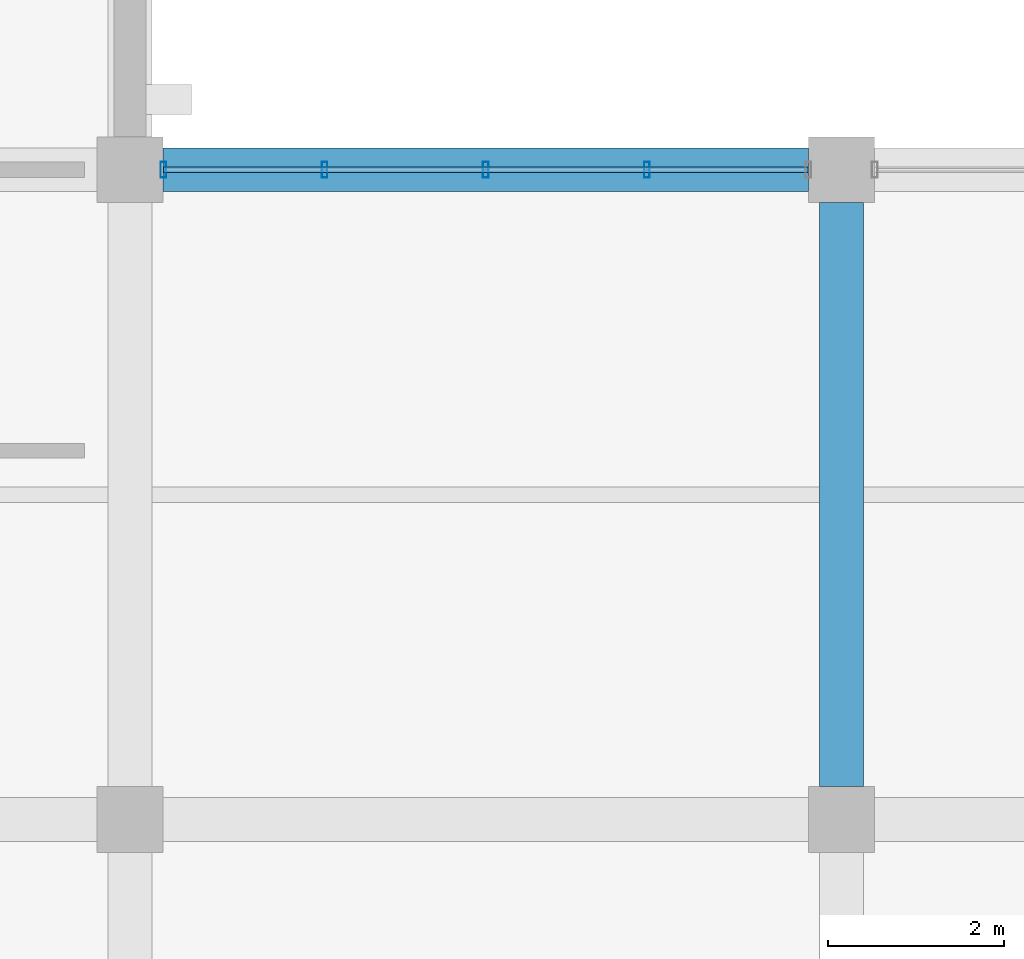
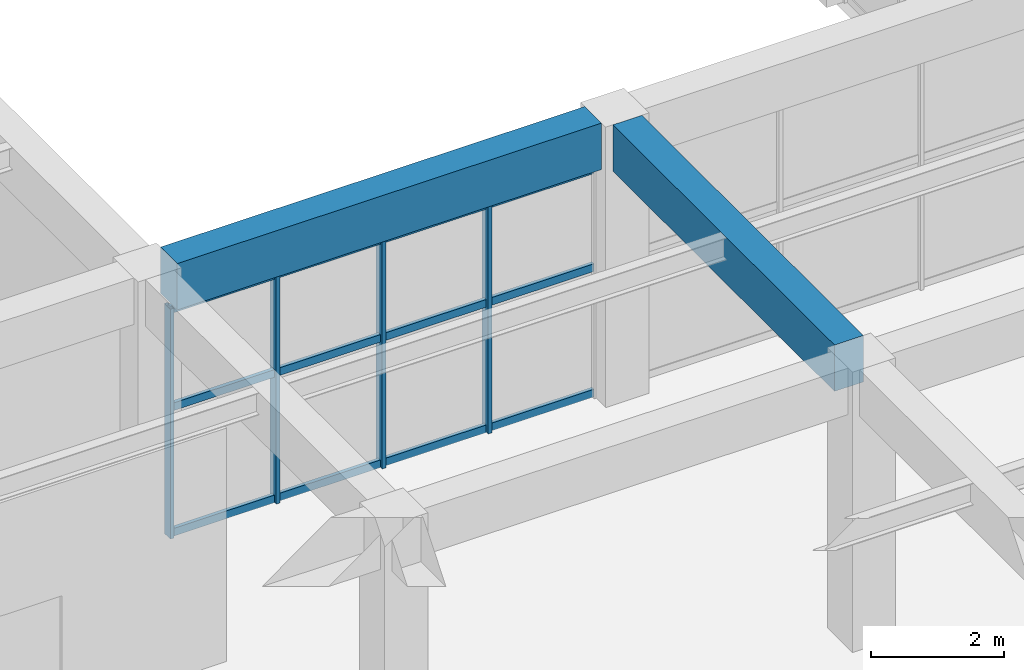
# One storey, part 12 of 140: 7 members, 2 beams, 1 element without a shape of its own.
"""IFC4 building model written with IfcOpenShell, lengths in metres."""

from ifc_helpers import new_model, si_unit, direction, frame, origin, origin_2d, place, context, subcontext, project, spatial, rectangle, hollow_rectangle, extrude, material, material_profile, profile_set, type_object, element, aggregate, save


model = new_model("IFC4")

# Units and contexts
model_context = context("Model", 3, precision=1e-05, world=origin(), true_north=direction((0.0, 1.0)))
body_context = subcontext(model_context, "Body", "Model", "MODEL_VIEW")
ifc_project = project(units=[si_unit("LENGTHUNIT", "METRE"), si_unit("AREAUNIT", "SQUARE_METRE"), si_unit("VOLUMEUNIT", "CUBIC_METRE"), si_unit("PLANEANGLEUNIT", "RADIAN"), si_unit("MASSUNIT", "GRAM", prefix="KILO")], contexts=[model_context])

# Site, building, storey
site_placement = place(None, origin())
site = spatial("IfcSite", under=ifc_project, at=site_placement, CompositionType="ELEMENT")
building_placement = place(site_placement, origin())
building = spatial("IfcBuilding", under=site, at=building_placement, Name="Cimatlan Art Gallery", CompositionType="ELEMENT")
storey_placement = place(building_placement, origin())
storey = spatial("IfcBuildingStorey", under=building, at=storey_placement, Name="L00", CompositionType="ELEMENT", Elevation=0.0)

# Beams
ifc_material_1 = material(Name="Concrete C40/50", Category="concrete")
ifc_material_profile_1 = material_profile(ifc_material_1, rectangle(XDim=0.5, YDim=0.85009765625, at=origin_2d()), Name="RC500X850")
ifc_profile_set_1 = profile_set([ifc_material_profile_1], Name="Concrete C40/50")
beam_type = type_object("IfcBeamType", Name="BM-RC-500X850", PredefinedType="BEAM", material=ifc_profile_set_1)
beam_1_placement = place(storey_placement, frame((26.300048828125, 31.675048828125, 4.7099609375), z_axis=(0.0, 1.0, 0.0), x_axis=(-1.0, 0.0, 0.0)))
element("IfcBeam", 1, at=beam_1_placement, inside=storey, type_object=beam_type, Name="BM-Y-L00-03-04", PredefinedType="BEAM", context=body_context, shape_type="SweptSolid", body=[
    extrude(rectangle(XDim=0.5, YDim=0.85009765625, at=origin_2d()), origin(), (0.0, 0.0, 1.0), 6.64990234375),
])
beam_2_placement = place(storey_placement, frame((18.574951171875, 38.699951171875, 4.7099609375), z_axis=(1.0, 0.0, 0.0), x_axis=(0.0, 1.0, 0.0)))
element("IfcBeam", 2, at=beam_2_placement, inside=storey, type_object=beam_type, Name="BM-X-L00-02-05", PredefinedType="BEAM", context=body_context, shape_type="SweptSolid", body=[
    extrude(rectangle(XDim=0.5, YDim=0.85009765625, at=origin_2d()), origin(), (0.0, 0.0, 1.0), 7.35009765625),
])

# Curtain wall, members
ifc_material_2 = material(Name="Anodised bronze unitised curtain wall")
curtain_wall_type = type_object("IfcCurtainWallType", Name="CW-V-07342X04210-B4", PredefinedType="NOTDEFINED", material=ifc_material_2)
curtain_wall_placement = place(storey_placement, origin())
curtain_wall = element("IfcCurtainWall", 3, at=curtain_wall_placement, inside=storey, type_object=curtain_wall_type, Name="CW-L00-02-04-N", PredefinedType="NOTDEFINED")
ifc_material_3 = material(Name="Anodised bronze aluminium 6063-T6", Category="aluminium")
ifc_material_profile_2 = material_profile(ifc_material_3, hollow_rectangle(XDim=0.06494140625, YDim=0.179931640625, WallThickness=0.00390625, at=origin_2d()), Name="ALU65X180X4")
ifc_profile_set_2 = profile_set([ifc_material_profile_2], Name="Anodised bronze aluminium 6063-T6")
member_type_1 = type_object("IfcMemberType", Name="CW-MUL-180", PredefinedType="MULLION", material=ifc_profile_set_2)
member_1_placement = place(storey_placement, frame((18.5791015625, 38.699951171875, 0.0), z_axis=(0.0, 0.0, 1.0), x_axis=(1.0, 0.0, 0.0)))
member_1 = element("IfcMember", 4, at=member_1_placement, type_object=member_type_1, Name="CW-L00-02-04-N-M1", PredefinedType="MULLION", context=body_context, shape_type="SweptSolid", body=[
    extrude(hollow_rectangle(XDim=0.06494140625, YDim=0.179931640625, WallThickness=0.00390625, at=origin_2d()), origin(), (0.0, 0.0, 1.0), 4.2099609375),
])
member_2_placement = place(storey_placement, frame((20.41455078125, 38.699951171875, 0.0), z_axis=(0.0, 0.0, 1.0), x_axis=(1.0, 0.0, 0.0)))
member_2 = element("IfcMember", 5, at=member_2_placement, type_object=member_type_1, Name="CW-L00-02-04-N-M2", PredefinedType="MULLION", context=body_context, shape_type="SweptSolid", body=[
    extrude(hollow_rectangle(XDim=0.06494140625, YDim=0.179931640625, WallThickness=0.00390625, at=origin_2d()), origin(), (0.0, 0.0, 1.0), 4.2099609375),
])
member_3_placement = place(storey_placement, frame((22.25, 38.699951171875, 0.0), z_axis=(0.0, 0.0, 1.0), x_axis=(1.0, 0.0, 0.0)))
member_3 = element("IfcMember", 6, at=member_3_placement, type_object=member_type_1, Name="CW-L00-02-04-N-M3", PredefinedType="MULLION", context=body_context, shape_type="SweptSolid", body=[
    extrude(hollow_rectangle(XDim=0.06494140625, YDim=0.179931640625, WallThickness=0.00390625, at=origin_2d()), origin(), (0.0, 0.0, 1.0), 4.2099609375),
])
member_4_placement = place(storey_placement, frame((24.08544921875, 38.699951171875, 0.0), z_axis=(0.0, 0.0, 1.0), x_axis=(1.0, 0.0, 0.0)))
member_4 = element("IfcMember", 7, at=member_4_placement, type_object=member_type_1, Name="CW-L00-02-04-N-M4", PredefinedType="MULLION", context=body_context, shape_type="SweptSolid", body=[
    extrude(hollow_rectangle(XDim=0.06494140625, YDim=0.179931640625, WallThickness=0.00390625, at=origin_2d()), origin(), (0.0, 0.0, 1.0), 4.2099609375),
])
ifc_material_profile_3 = material_profile(ifc_material_3, hollow_rectangle(XDim=0.06494140625, YDim=0.139892578125, WallThickness=0.00390625, at=origin_2d()), Name="ALU65X140X4")
ifc_profile_set_3 = profile_set([ifc_material_profile_3], Name="Anodised bronze aluminium 6063-T6")
member_type_2 = type_object("IfcMemberType", Name="CW-TRN-140", PredefinedType="USERDEFINED", material=ifc_profile_set_3)
member_5_placement = place(storey_placement, frame((18.5791015625, 38.699951171875, 0.06005859375), z_axis=(1.0, 0.0, 0.0), x_axis=(0.0, 1.0, 0.0)))
member_5 = element("IfcMember", 8, at=member_5_placement, type_object=member_type_2, Name="CW-L00-02-04-N-T1", ObjectType="TRANSOM", PredefinedType="USERDEFINED", context=body_context, shape_type="SweptSolid", body=[
    extrude(hollow_rectangle(XDim=0.06494140625, YDim=0.139892578125, WallThickness=0.00390625, at=origin_2d()), origin(), (0.0, 0.0, 1.0), 7.341796875),
])
member_6_placement = place(storey_placement, frame((18.5791015625, 38.699951171875, 2.357666015625), z_axis=(1.0, 0.0, 0.0), x_axis=(0.0, 1.0, 0.0)))
member_6 = element("IfcMember", 9, at=member_6_placement, type_object=member_type_2, Name="CW-L00-02-04-N-T2", ObjectType="TRANSOM", PredefinedType="USERDEFINED", context=body_context, shape_type="SweptSolid", body=[
    extrude(hollow_rectangle(XDim=0.06494140625, YDim=0.139892578125, WallThickness=0.00390625, at=origin_2d()), origin(), (0.0, 0.0, 1.0), 7.341796875),
])
member_7_placement = place(storey_placement, frame((18.5791015625, 38.699951171875, 4.14990234375), z_axis=(1.0, 0.0, 0.0), x_axis=(0.0, 1.0, 0.0)))
member_7 = element("IfcMember", 10, at=member_7_placement, type_object=member_type_2, Name="CW-L00-02-04-N-T3", ObjectType="TRANSOM", PredefinedType="USERDEFINED", context=body_context, shape_type="SweptSolid", body=[
    extrude(hollow_rectangle(XDim=0.06494140625, YDim=0.139892578125, WallThickness=0.00390625, at=origin_2d()), origin(), (0.0, 0.0, 1.0), 7.341796875),
])
aggregate(curtain_wall, [member_1, member_2, member_3, member_4, member_5, member_6, member_7])

save(model, "model.ifc")
